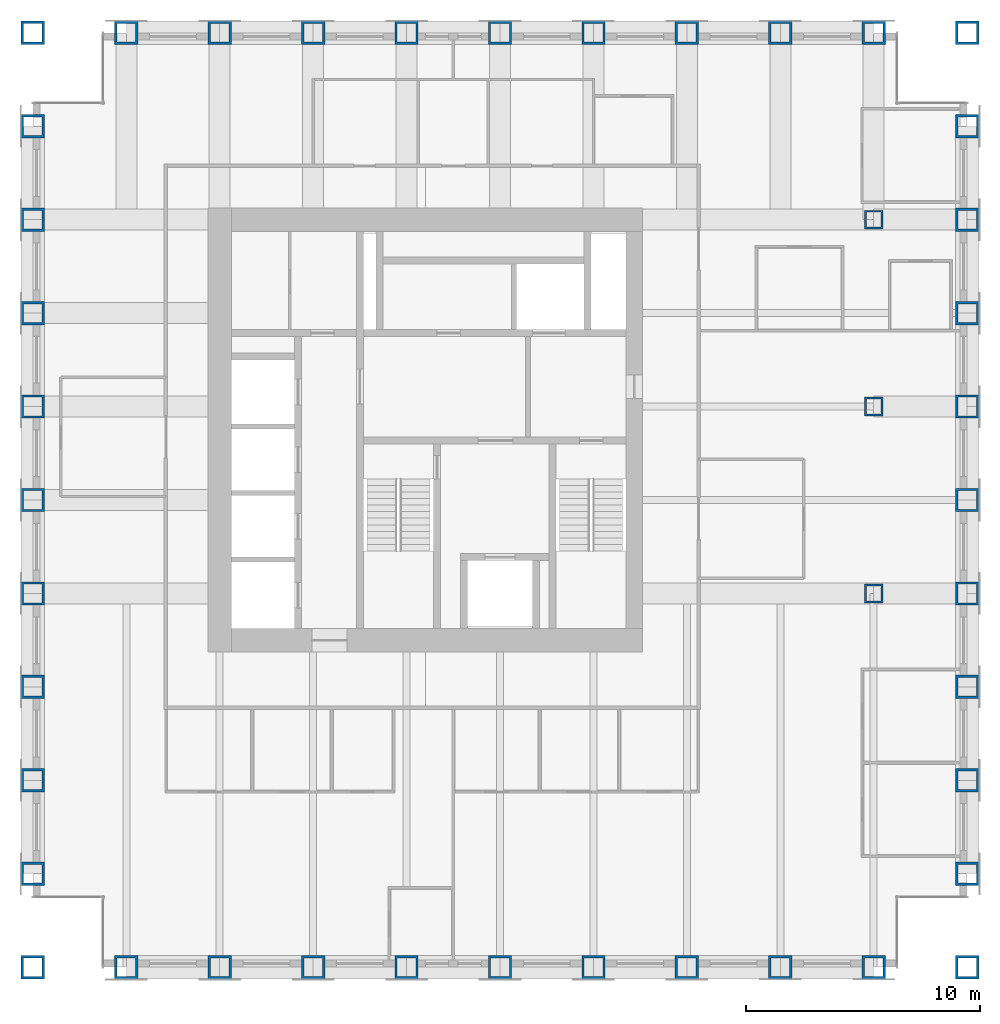
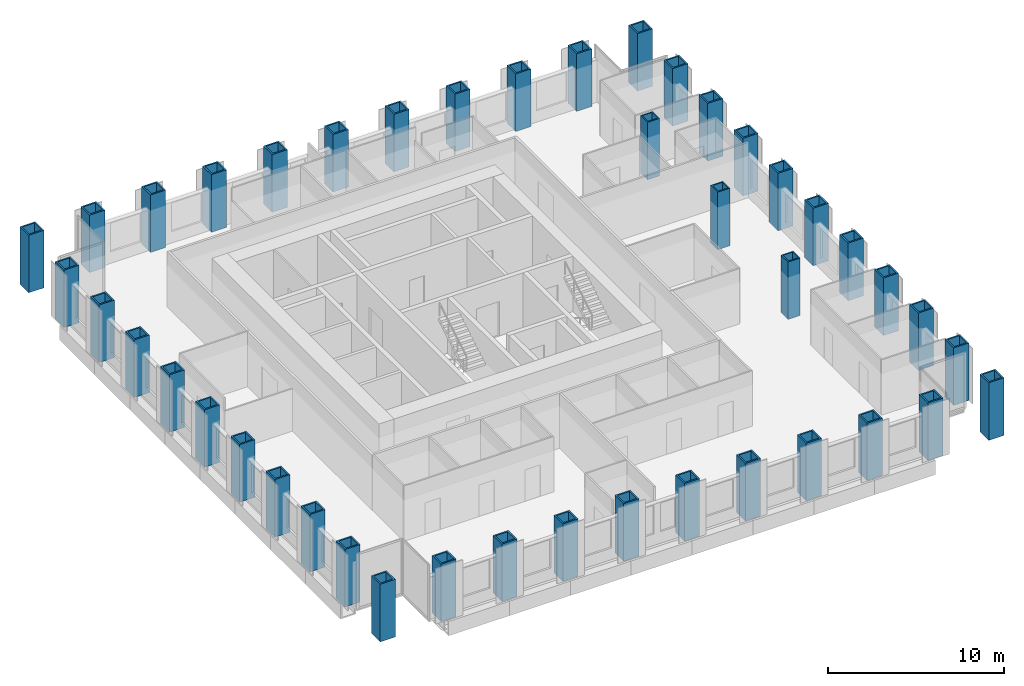
# One storey, part 1 of 13: 43 columns.
"""IFC4 building model written with IfcOpenShell, lengths in metres."""

from ifc_helpers import new_model, si_unit, direction, frame, origin, origin_2d, place, context, subcontext, project, spatial, hollow_rectangle, extrude, material, material_profile, profile_set, type_object, element, save


model = new_model("IFC4")

# Units and contexts
model_context = context("Model", 3, precision=1e-05, world=origin(), true_north=direction((0.0, 1.0)))
body_context = subcontext(model_context, "Body", "Model", "MODEL_VIEW")
ifc_project = project(units=[si_unit("LENGTHUNIT", "METRE"), si_unit("AREAUNIT", "SQUARE_METRE"), si_unit("VOLUMEUNIT", "CUBIC_METRE"), si_unit("PLANEANGLEUNIT", "RADIAN"), si_unit("MASSUNIT", "GRAM", prefix="KILO")], contexts=[model_context])

# Site, building, storey
site_placement = place(None, origin())
site = spatial("IfcSite", under=ifc_project, at=site_placement, CompositionType="ELEMENT")
building_placement = place(site_placement, origin())
building = spatial("IfcBuilding", under=site, at=building_placement, Name="Rimbunsela Tower", CompositionType="ELEMENT")
storey_placement = place(building_placement, frame((0.0, 0.0, 258.199951171875)))
storey = spatial("IfcBuildingStorey", under=building, at=storey_placement, Name="L62", CompositionType="ELEMENT", Elevation=258.199951171875)

# Columns
ifc_material_1 = material(Name="Steel BJ 55 (fy 410 MPa)", Category="steel")
ifc_material_profile_1 = material_profile(ifc_material_1, hollow_rectangle(XDim=1.0, YDim=1.0, WallThickness=0.10009765625, at=origin_2d()), Name="BOX 1000x1000x100")
ifc_profile_set_1 = profile_set([ifc_material_profile_1], Name="Steel BJ 55 (fy 410 MPa)")
column_type_1 = type_object("IfcColumnType", Name="Column BOX 1000x1000x100", PredefinedType="COLUMN", material=ifc_profile_set_1)
for number, where, z_axis, x_axis, name in (
    (1, (10.0, 4.0, 0.0), (0.0, 0.0, 1.0), (1.0, 0.0, 0.0), "Column C1 5/C L62"),
    (2, (10.0, 8.0, 0.0), (0.0, 0.0, 1.0), (1.0, 0.0, 0.0), "Column C1 5/D L62"),
    (3, (10.0, 12.0, 0.0), (0.0, 0.0, 1.0), (1.0, 0.0, 0.0), "Column C1 5/E L62"),
    (4, (10.0, 16.0, 0.0), (0.0, 0.0, 1.0), (1.0, 0.0, 0.0), "Column C1 5/F L62"),
    (5, (10.0, 20.0, 0.0), (0.0, 0.0, 1.0), (1.0, 0.0, 0.0), "Column C1 5/G L62"),
    (6, (10.0, 24.0, 0.0), (0.0, 0.0, 1.0), (1.0, 0.0, 0.0), "Column C1 5/H L62"),
    (7, (10.0, 28.0, 0.0), (0.0, 0.0, 1.0), (1.0, 0.0, 0.0), "Column C1 5/J L62"),
    (8, (10.0, 32.0, 0.0), (0.0, 0.0, 1.0), (1.0, 0.0, 0.0), "Column C1 5/K L62"),
    (9, (10.0, 36.0, 0.0), (0.0, 0.0, 1.0), (1.0, 0.0, 0.0), "Column C1 5/L L62"),
    (10, (10.0, 40.0, 0.0), (0.0, 0.0, 1.0), (1.0, 0.0, 0.0), "Column C1 5/M L62"),
    (11, (10.0, 44.0, 0.0), (0.0, 0.0, 1.0), (1.0, 0.0, 0.0), "Column C1 5/N L62"),
    (12, (14.0, 4.0, 0.0), (0.0, 0.0, 1.0), (1.0, 0.0, 0.0), "Column C1 6/C L62"),
    (13, (14.0, 44.0, 0.0), (0.0, 0.0, 1.0), (1.0, 0.0, 0.0), "Column C1 6/N L62"),
    (14, (18.0, 4.0, 0.0), (0.0, 0.0, 1.0), (1.0, 0.0, 0.0), "Column C1 7/C L62"),
    (15, (18.0, 44.0, 0.0), (0.0, 0.0, 1.0), (1.0, 0.0, 0.0), "Column C1 7/N L62"),
    (16, (22.0, 4.0, 0.0), (0.0, 0.0, 1.0), (1.0, 0.0, 0.0), "Column C1 8/C L62"),
    (17, (22.0, 44.0, 0.0), (0.0, 0.0, 1.0), (1.0, 0.0, 0.0), "Column C1 8/N L62"),
    (18, (26.0, 4.0, 0.0), (0.0, 0.0, 1.0), (1.0, 0.0, 0.0), "Column C1 9/C L62"),
    (19, (26.0, 44.0, 0.0), (0.0, 0.0, 1.0), (1.0, 0.0, 0.0), "Column C1 9/N L62"),
    (20, (30.0, 4.0, 0.0), (0.0, 0.0, 1.0), (1.0, 0.0, 0.0), "Column C1 10/C L62"),
    (21, (30.0, 44.0, 0.0), (0.0, 0.0, 1.0), (1.0, 0.0, 0.0), "Column C1 10/N L62"),
    (22, (34.0, 4.0, 0.0), (0.0, 0.0, 1.0), (1.0, 0.0, 0.0), "Column C1 11/C L62"),
    (23, (34.0, 44.0, 0.0), (0.0, 0.0, 1.0), (1.0, 0.0, 0.0), "Column C1 11/N L62"),
    (24, (38.0, 4.0, 0.0), (0.0, 0.0, 1.0), (1.0, 0.0, 0.0), "Column C1 12/C L62"),
    (25, (38.0, 44.0, 0.0), (0.0, 0.0, 1.0), (1.0, 0.0, 0.0), "Column C1 12/N L62"),
    (26, (42.0, 4.0, 0.0), (0.0, 0.0, 1.0), (1.0, 0.0, 0.0), "Column C1 13/C L62"),
    (27, (42.0, 44.0, 0.0), (0.0, 0.0, 1.0), (1.0, 0.0, 0.0), "Column C1 13/N L62"),
    (28, (46.0, 4.0, 0.0), (0.0, 0.0, 1.0), (1.0, 0.0, 0.0), "Column C1 14/C L62"),
    (29, (46.0, 44.0, 0.0), (0.0, 0.0, 1.0), (1.0, 0.0, 0.0), "Column C1 14/N L62"),
    (30, (50.0, 4.0, 0.0), (0.0, 0.0, 1.0), (1.0, 0.0, 0.0), "Column C1 15/C L62"),
    (31, (50.0, 8.0, 0.0), (0.0, 0.0, 1.0), (1.0, 0.0, 0.0), "Column C1 15/D L62"),
    (32, (50.0, 12.0, 0.0), (0.0, 0.0, 1.0), (1.0, 0.0, 0.0), "Column C1 15/E L62"),
    (33, (50.0, 16.0, 0.0), (0.0, 0.0, 1.0), (1.0, 0.0, 0.0), "Column C1 15/F L62"),
    (34, (50.0, 20.0, 0.0), (0.0, 0.0, 1.0), (1.0, 0.0, 0.0), "Column C1 15/G L62"),
    (35, (50.0, 24.0, 0.0), (0.0, 0.0, 1.0), (1.0, 0.0, 0.0), "Column C1 15/H L62"),
    (36, (50.0, 28.0, 0.0), (0.0, 0.0, 1.0), (1.0, 0.0, 0.0), "Column C1 15/J L62"),
    (37, (50.0, 32.0, 0.0), (0.0, 0.0, 1.0), (1.0, 0.0, 0.0), "Column C1 15/K L62"),
    (38, (50.0, 36.0, 0.0), (0.0, 0.0, 1.0), (1.0, 0.0, 0.0), "Column C1 15/L L62"),
    (39, (50.0, 40.0, 0.0), (0.0, 0.0, 1.0), (1.0, 0.0, 0.0), "Column C1 15/M L62"),
    (40, (50.0, 44.0, 0.0), (0.0, 0.0, 1.0), (1.0, 0.0, 0.0), "Column C1 15/N L62"),
):
    element("IfcColumn", number, at=place(storey_placement, frame(where, z_axis=z_axis, x_axis=x_axis)), inside=storey, type_object=column_type_1, Name=name, PredefinedType="COLUMN", context=body_context, shape_type="SweptSolid", body=[
        extrude(hollow_rectangle(XDim=1.0, YDim=1.0, WallThickness=0.10009765625, at=origin_2d()), origin(), (0.0, 0.0, 1.0), 4.0),
    ])
ifc_material_2 = material(Name="Steel BJ 55 (fy 410 MPa)", Category="steel")
ifc_material_profile_2 = material_profile(ifc_material_2, hollow_rectangle(XDim=0.800048828125, YDim=0.800048828125, WallThickness=0.080078125, at=origin_2d()), Name="BOX 800x800x80")
ifc_profile_set_2 = profile_set([ifc_material_profile_2], Name="Steel BJ 55 (fy 410 MPa)")
column_type_2 = type_object("IfcColumnType", Name="Column BOX 800x800x80", PredefinedType="COLUMN", material=ifc_profile_set_2)
for number, where, z_axis, x_axis, name in (
    (41, (46.0, 20.0, 0.0), (0.0, 0.0, 1.0), (1.0, 0.0, 0.0), "Column C2 14/G L62"),
    (42, (46.0, 28.0, 0.0), (0.0, 0.0, 1.0), (1.0, 0.0, 0.0), "Column C2 14/J L62"),
    (43, (46.0, 36.0, 0.0), (0.0, 0.0, 1.0), (1.0, 0.0, 0.0), "Column C2 14/L L62"),
):
    element("IfcColumn", number, at=place(storey_placement, frame(where, z_axis=z_axis, x_axis=x_axis)), inside=storey, type_object=column_type_2, Name=name, PredefinedType="COLUMN", context=body_context, shape_type="SweptSolid", body=[
        extrude(hollow_rectangle(XDim=0.800048828125, YDim=0.800048828125, WallThickness=0.080078125, at=origin_2d()), origin(), (0.0, 0.0, 1.0), 4.0),
    ])

save(model, "model.ifc")
